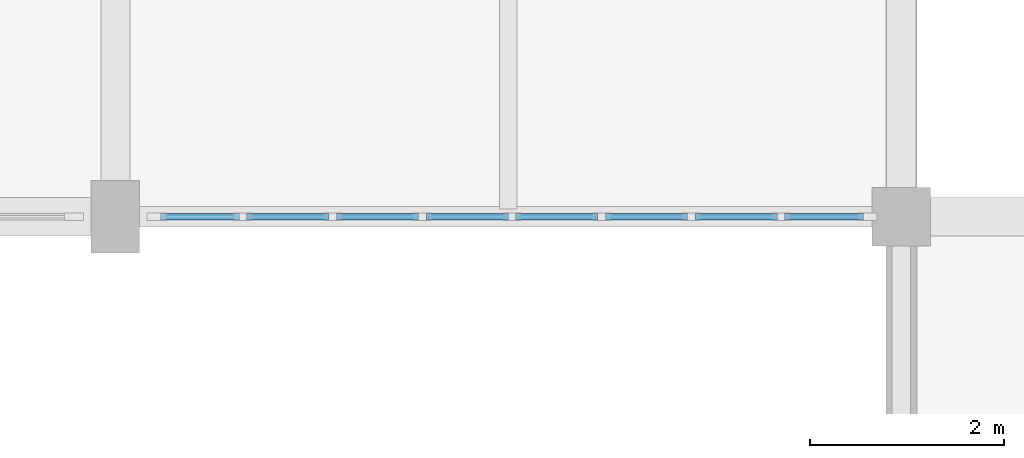
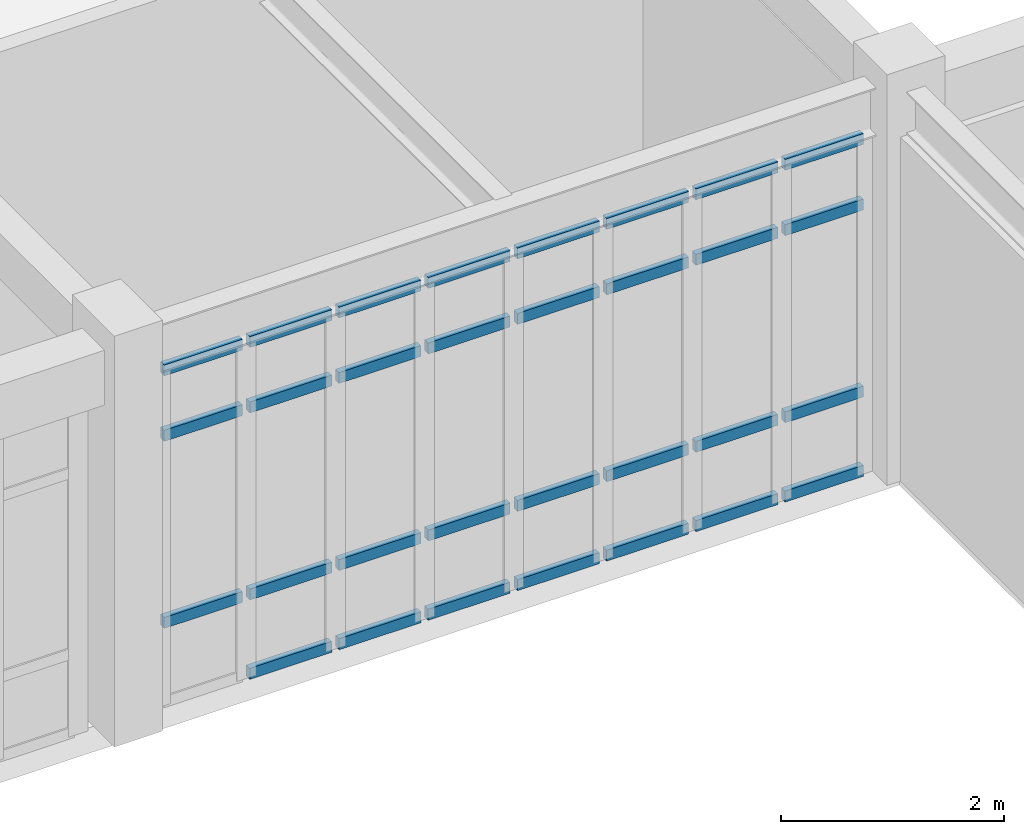
# One storey, part 33 of 67: 31 members, 1 element without a shape of its own.
"""IFC4 building model written with IfcOpenShell, lengths in metres."""

from ifc_helpers import new_model, si_unit, direction, frame, origin, origin_2d, place, context, subcontext, project, spatial, rectangle, extrude, material, material_profile, profile_set, type_object, element, aggregate, save


model = new_model("IFC4")

# Units and contexts
model_context = context("Model", 3, precision=1e-05, world=origin(), true_north=direction((0.0, 1.0)))
body_context = subcontext(model_context, "Body", "Model", "MODEL_VIEW")
ifc_project = project(units=[si_unit("LENGTHUNIT", "METRE"), si_unit("AREAUNIT", "SQUARE_METRE"), si_unit("VOLUMEUNIT", "CUBIC_METRE"), si_unit("PLANEANGLEUNIT", "RADIAN"), si_unit("MASSUNIT", "GRAM", prefix="KILO")], contexts=[model_context])

# Site, building, storey
site_placement = place(None, origin())
site = spatial("IfcSite", under=ifc_project, at=site_placement, CompositionType="ELEMENT")
building_placement = place(site_placement, origin())
building = spatial("IfcBuilding", under=site, at=building_placement, Name="Tarnveldt Square Police Headquarters", CompositionType="ELEMENT")
storey_placement = place(building_placement, frame((0.0, 0.0, 10.199951171875)))
storey = spatial("IfcBuildingStorey", under=building, at=storey_placement, Name="L02", CompositionType="ELEMENT", Elevation=10.199951171875)

# Curtain wall, members
ifc_material_1 = material(Name="Triple-glazed low-e laminated vision glass", Category="glass")
curtain_wall_type = type_object("IfcCurtainWallType", Name="CW-LB-739x370", PredefinedType="USERDEFINED", material=ifc_material_1)
curtain_wall_placement = place(storey_placement, origin())
curtain_wall = element("IfcCurtainWall", 1, at=curtain_wall_placement, inside=storey, type_object=curtain_wall_type, Name="L02 Curtain Wall CW-L02-118", ObjectType="GLAZED CURTAIN WALL", PredefinedType="USERDEFINED")
ifc_material_2 = material(Name="Thermally broken anodised aluminium 6063-T6", Category="aluminium")
ifc_material_profile = material_profile(ifc_material_2, rectangle(XDim=0.06494140625, YDim=0.1201171875, at=origin_2d()), Name="CW-T65x120")
ifc_profile_set = profile_set([ifc_material_profile], Name="Thermally broken anodised aluminium 6063-T6")
member_type = type_object("IfcMemberType", Name="CWT-65x120", PredefinedType="USERDEFINED", material=ifc_profile_set)
member_1_placement = place(storey_placement, frame((97.6650390625, 96.0, 0.900146484375), z_axis=(1.0, 0.0, 0.0), x_axis=(0.0, 1.0, 0.0)))
member_1 = element("IfcMember", 2, at=member_1_placement, type_object=member_type, Name="CW-LB68 transom 1.2", ObjectType="TRANSOM", PredefinedType="USERDEFINED", context=body_context, shape_type="SweptSolid", body=[
    extrude(rectangle(XDim=0.06494140625, YDim=0.1201171875, at=origin_2d()), origin(), (0.0, 0.0, 1.0), 0.811767578125),
])
member_2_placement = place(storey_placement, frame((97.6650390625, 96.0, 2.948974609375), z_axis=(1.0, 0.0, 0.0), x_axis=(0.0, 1.0, 0.0)))
member_2 = element("IfcMember", 3, at=member_2_placement, type_object=member_type, Name="CW-LB68 transom 1.3", ObjectType="TRANSOM", PredefinedType="USERDEFINED", context=body_context, shape_type="SweptSolid", body=[
    extrude(rectangle(XDim=0.06494140625, YDim=0.1201171875, at=origin_2d()), origin(), (0.0, 0.0, 1.0), 0.811767578125),
])
member_3_placement = place(storey_placement, frame((97.6650390625, 96.0, 3.66650390625), z_axis=(1.0, 0.0, 0.0), x_axis=(0.0, 1.0, 0.0)))
member_3 = element("IfcMember", 4, at=member_3_placement, type_object=member_type, Name="CW-LB68 transom 1.4", ObjectType="TRANSOM", PredefinedType="USERDEFINED", context=body_context, shape_type="SweptSolid", body=[
    extrude(rectangle(XDim=0.06494140625, YDim=0.1201171875, at=origin_2d()), origin(), (0.0, 0.0, 1.0), 0.811767578125),
])
member_4_placement = place(storey_placement, frame((98.5517578125, 96.0, 0.032470703125), z_axis=(1.0, 0.0, 0.0), x_axis=(0.0, 1.0, 0.0)))
member_4 = element("IfcMember", 5, at=member_4_placement, type_object=member_type, Name="CW-LB68 transom 2.1", ObjectType="TRANSOM", PredefinedType="USERDEFINED", context=body_context, shape_type="SweptSolid", body=[
    extrude(rectangle(XDim=0.06494140625, YDim=0.1201171875, at=origin_2d()), origin(), (0.0, 0.0, 1.0), 0.849609375),
])
member_5_placement = place(storey_placement, frame((98.5517578125, 96.0, 0.900146484375), z_axis=(1.0, 0.0, 0.0), x_axis=(0.0, 1.0, 0.0)))
member_5 = element("IfcMember", 6, at=member_5_placement, type_object=member_type, Name="CW-LB68 transom 2.2", ObjectType="TRANSOM", PredefinedType="USERDEFINED", context=body_context, shape_type="SweptSolid", body=[
    extrude(rectangle(XDim=0.06494140625, YDim=0.1201171875, at=origin_2d()), origin(), (0.0, 0.0, 1.0), 0.849609375),
])
member_6_placement = place(storey_placement, frame((98.5517578125, 96.0, 2.948974609375), z_axis=(1.0, 0.0, 0.0), x_axis=(0.0, 1.0, 0.0)))
member_6 = element("IfcMember", 7, at=member_6_placement, type_object=member_type, Name="CW-LB68 transom 2.3", ObjectType="TRANSOM", PredefinedType="USERDEFINED", context=body_context, shape_type="SweptSolid", body=[
    extrude(rectangle(XDim=0.06494140625, YDim=0.1201171875, at=origin_2d()), origin(), (0.0, 0.0, 1.0), 0.849609375),
])
member_7_placement = place(storey_placement, frame((98.5517578125, 96.0, 3.66650390625), z_axis=(1.0, 0.0, 0.0), x_axis=(0.0, 1.0, 0.0)))
member_7 = element("IfcMember", 8, at=member_7_placement, type_object=member_type, Name="CW-LB68 transom 2.4", ObjectType="TRANSOM", PredefinedType="USERDEFINED", context=body_context, shape_type="SweptSolid", body=[
    extrude(rectangle(XDim=0.06494140625, YDim=0.1201171875, at=origin_2d()), origin(), (0.0, 0.0, 1.0), 0.849609375),
])
member_8_placement = place(storey_placement, frame((99.476318359375, 96.0, 0.032470703125), z_axis=(1.0, 0.0, 0.0), x_axis=(0.0, 1.0, 0.0)))
member_8 = element("IfcMember", 9, at=member_8_placement, type_object=member_type, Name="CW-LB68 transom 3.1", ObjectType="TRANSOM", PredefinedType="USERDEFINED", context=body_context, shape_type="SweptSolid", body=[
    extrude(rectangle(XDim=0.06494140625, YDim=0.1201171875, at=origin_2d()), origin(), (0.0, 0.0, 1.0), 0.849365234375),
])
member_9_placement = place(storey_placement, frame((99.476318359375, 96.0, 0.900146484375), z_axis=(1.0, 0.0, 0.0), x_axis=(0.0, 1.0, 0.0)))
member_9 = element("IfcMember", 10, at=member_9_placement, type_object=member_type, Name="CW-LB68 transom 3.2", ObjectType="TRANSOM", PredefinedType="USERDEFINED", context=body_context, shape_type="SweptSolid", body=[
    extrude(rectangle(XDim=0.06494140625, YDim=0.1201171875, at=origin_2d()), origin(), (0.0, 0.0, 1.0), 0.849365234375),
])
member_10_placement = place(storey_placement, frame((99.476318359375, 96.0, 2.948974609375), z_axis=(1.0, 0.0, 0.0), x_axis=(0.0, 1.0, 0.0)))
member_10 = element("IfcMember", 11, at=member_10_placement, type_object=member_type, Name="CW-LB68 transom 3.3", ObjectType="TRANSOM", PredefinedType="USERDEFINED", context=body_context, shape_type="SweptSolid", body=[
    extrude(rectangle(XDim=0.06494140625, YDim=0.1201171875, at=origin_2d()), origin(), (0.0, 0.0, 1.0), 0.849365234375),
])
member_11_placement = place(storey_placement, frame((99.476318359375, 96.0, 3.66650390625), z_axis=(1.0, 0.0, 0.0), x_axis=(0.0, 1.0, 0.0)))
member_11 = element("IfcMember", 12, at=member_11_placement, type_object=member_type, Name="CW-LB68 transom 3.4", ObjectType="TRANSOM", PredefinedType="USERDEFINED", context=body_context, shape_type="SweptSolid", body=[
    extrude(rectangle(XDim=0.06494140625, YDim=0.1201171875, at=origin_2d()), origin(), (0.0, 0.0, 1.0), 0.849365234375),
])
member_12_placement = place(storey_placement, frame((100.400634765625, 96.0, 0.032470703125), z_axis=(1.0, 0.0, 0.0), x_axis=(0.0, 1.0, 0.0)))
member_12 = element("IfcMember", 13, at=member_12_placement, type_object=member_type, Name="CW-LB68 transom 4.1", ObjectType="TRANSOM", PredefinedType="USERDEFINED", context=body_context, shape_type="SweptSolid", body=[
    extrude(rectangle(XDim=0.06494140625, YDim=0.1201171875, at=origin_2d()), origin(), (0.0, 0.0, 1.0), 0.849365234375),
])
member_13_placement = place(storey_placement, frame((100.400634765625, 96.0, 0.900146484375), z_axis=(1.0, 0.0, 0.0), x_axis=(0.0, 1.0, 0.0)))
member_13 = element("IfcMember", 14, at=member_13_placement, type_object=member_type, Name="CW-LB68 transom 4.2", ObjectType="TRANSOM", PredefinedType="USERDEFINED", context=body_context, shape_type="SweptSolid", body=[
    extrude(rectangle(XDim=0.06494140625, YDim=0.1201171875, at=origin_2d()), origin(), (0.0, 0.0, 1.0), 0.849365234375),
])
member_14_placement = place(storey_placement, frame((100.400634765625, 96.0, 2.948974609375), z_axis=(1.0, 0.0, 0.0), x_axis=(0.0, 1.0, 0.0)))
member_14 = element("IfcMember", 15, at=member_14_placement, type_object=member_type, Name="CW-LB68 transom 4.3", ObjectType="TRANSOM", PredefinedType="USERDEFINED", context=body_context, shape_type="SweptSolid", body=[
    extrude(rectangle(XDim=0.06494140625, YDim=0.1201171875, at=origin_2d()), origin(), (0.0, 0.0, 1.0), 0.849365234375),
])
member_15_placement = place(storey_placement, frame((100.400634765625, 96.0, 3.66650390625), z_axis=(1.0, 0.0, 0.0), x_axis=(0.0, 1.0, 0.0)))
member_15 = element("IfcMember", 16, at=member_15_placement, type_object=member_type, Name="CW-LB68 transom 4.4", ObjectType="TRANSOM", PredefinedType="USERDEFINED", context=body_context, shape_type="SweptSolid", body=[
    extrude(rectangle(XDim=0.06494140625, YDim=0.1201171875, at=origin_2d()), origin(), (0.0, 0.0, 1.0), 0.849365234375),
])
member_16_placement = place(storey_placement, frame((101.324951171875, 96.0, 0.032470703125), z_axis=(1.0, 0.0, 0.0), x_axis=(0.0, 1.0, 0.0)))
member_16 = element("IfcMember", 17, at=member_16_placement, type_object=member_type, Name="CW-LB68 transom 5.1", ObjectType="TRANSOM", PredefinedType="USERDEFINED", context=body_context, shape_type="SweptSolid", body=[
    extrude(rectangle(XDim=0.06494140625, YDim=0.1201171875, at=origin_2d()), origin(), (0.0, 0.0, 1.0), 0.849365234375),
])
member_17_placement = place(storey_placement, frame((101.324951171875, 96.0, 0.900146484375), z_axis=(1.0, 0.0, 0.0), x_axis=(0.0, 1.0, 0.0)))
member_17 = element("IfcMember", 18, at=member_17_placement, type_object=member_type, Name="CW-LB68 transom 5.2", ObjectType="TRANSOM", PredefinedType="USERDEFINED", context=body_context, shape_type="SweptSolid", body=[
    extrude(rectangle(XDim=0.06494140625, YDim=0.1201171875, at=origin_2d()), origin(), (0.0, 0.0, 1.0), 0.849365234375),
])
member_18_placement = place(storey_placement, frame((101.324951171875, 96.0, 2.948974609375), z_axis=(1.0, 0.0, 0.0), x_axis=(0.0, 1.0, 0.0)))
member_18 = element("IfcMember", 19, at=member_18_placement, type_object=member_type, Name="CW-LB68 transom 5.3", ObjectType="TRANSOM", PredefinedType="USERDEFINED", context=body_context, shape_type="SweptSolid", body=[
    extrude(rectangle(XDim=0.06494140625, YDim=0.1201171875, at=origin_2d()), origin(), (0.0, 0.0, 1.0), 0.849365234375),
])
member_19_placement = place(storey_placement, frame((101.324951171875, 96.0, 3.66650390625), z_axis=(1.0, 0.0, 0.0), x_axis=(0.0, 1.0, 0.0)))
member_19 = element("IfcMember", 20, at=member_19_placement, type_object=member_type, Name="CW-LB68 transom 5.4", ObjectType="TRANSOM", PredefinedType="USERDEFINED", context=body_context, shape_type="SweptSolid", body=[
    extrude(rectangle(XDim=0.06494140625, YDim=0.1201171875, at=origin_2d()), origin(), (0.0, 0.0, 1.0), 0.849365234375),
])
member_20_placement = place(storey_placement, frame((102.249267578125, 96.0, 0.032470703125), z_axis=(1.0, 0.0, 0.0), x_axis=(0.0, 1.0, 0.0)))
member_20 = element("IfcMember", 21, at=member_20_placement, type_object=member_type, Name="CW-LB68 transom 6.1", ObjectType="TRANSOM", PredefinedType="USERDEFINED", context=body_context, shape_type="SweptSolid", body=[
    extrude(rectangle(XDim=0.06494140625, YDim=0.1201171875, at=origin_2d()), origin(), (0.0, 0.0, 1.0), 0.849365234375),
])
member_21_placement = place(storey_placement, frame((102.249267578125, 96.0, 0.900146484375), z_axis=(1.0, 0.0, 0.0), x_axis=(0.0, 1.0, 0.0)))
member_21 = element("IfcMember", 22, at=member_21_placement, type_object=member_type, Name="CW-LB68 transom 6.2", ObjectType="TRANSOM", PredefinedType="USERDEFINED", context=body_context, shape_type="SweptSolid", body=[
    extrude(rectangle(XDim=0.06494140625, YDim=0.1201171875, at=origin_2d()), origin(), (0.0, 0.0, 1.0), 0.849365234375),
])
member_22_placement = place(storey_placement, frame((102.249267578125, 96.0, 2.948974609375), z_axis=(1.0, 0.0, 0.0), x_axis=(0.0, 1.0, 0.0)))
member_22 = element("IfcMember", 23, at=member_22_placement, type_object=member_type, Name="CW-LB68 transom 6.3", ObjectType="TRANSOM", PredefinedType="USERDEFINED", context=body_context, shape_type="SweptSolid", body=[
    extrude(rectangle(XDim=0.06494140625, YDim=0.1201171875, at=origin_2d()), origin(), (0.0, 0.0, 1.0), 0.849365234375),
])
member_23_placement = place(storey_placement, frame((102.249267578125, 96.0, 3.66650390625), z_axis=(1.0, 0.0, 0.0), x_axis=(0.0, 1.0, 0.0)))
member_23 = element("IfcMember", 24, at=member_23_placement, type_object=member_type, Name="CW-LB68 transom 6.4", ObjectType="TRANSOM", PredefinedType="USERDEFINED", context=body_context, shape_type="SweptSolid", body=[
    extrude(rectangle(XDim=0.06494140625, YDim=0.1201171875, at=origin_2d()), origin(), (0.0, 0.0, 1.0), 0.849365234375),
])
member_24_placement = place(storey_placement, frame((103.173828125, 96.0, 0.032470703125), z_axis=(1.0, 0.0, 0.0), x_axis=(0.0, 1.0, 0.0)))
member_24 = element("IfcMember", 25, at=member_24_placement, type_object=member_type, Name="CW-LB68 transom 7.1", ObjectType="TRANSOM", PredefinedType="USERDEFINED", context=body_context, shape_type="SweptSolid", body=[
    extrude(rectangle(XDim=0.06494140625, YDim=0.1201171875, at=origin_2d()), origin(), (0.0, 0.0, 1.0), 0.849365234375),
])
member_25_placement = place(storey_placement, frame((103.173828125, 96.0, 0.900146484375), z_axis=(1.0, 0.0, 0.0), x_axis=(0.0, 1.0, 0.0)))
member_25 = element("IfcMember", 26, at=member_25_placement, type_object=member_type, Name="CW-LB68 transom 7.2", ObjectType="TRANSOM", PredefinedType="USERDEFINED", context=body_context, shape_type="SweptSolid", body=[
    extrude(rectangle(XDim=0.06494140625, YDim=0.1201171875, at=origin_2d()), origin(), (0.0, 0.0, 1.0), 0.849365234375),
])
member_26_placement = place(storey_placement, frame((103.173828125, 96.0, 2.948974609375), z_axis=(1.0, 0.0, 0.0), x_axis=(0.0, 1.0, 0.0)))
member_26 = element("IfcMember", 27, at=member_26_placement, type_object=member_type, Name="CW-LB68 transom 7.3", ObjectType="TRANSOM", PredefinedType="USERDEFINED", context=body_context, shape_type="SweptSolid", body=[
    extrude(rectangle(XDim=0.06494140625, YDim=0.1201171875, at=origin_2d()), origin(), (0.0, 0.0, 1.0), 0.849365234375),
])
member_27_placement = place(storey_placement, frame((103.173828125, 96.0, 3.66650390625), z_axis=(1.0, 0.0, 0.0), x_axis=(0.0, 1.0, 0.0)))
member_27 = element("IfcMember", 28, at=member_27_placement, type_object=member_type, Name="CW-LB68 transom 7.4", ObjectType="TRANSOM", PredefinedType="USERDEFINED", context=body_context, shape_type="SweptSolid", body=[
    extrude(rectangle(XDim=0.06494140625, YDim=0.1201171875, at=origin_2d()), origin(), (0.0, 0.0, 1.0), 0.849365234375),
])
member_28_placement = place(storey_placement, frame((104.09814453125, 96.0, 0.032470703125), z_axis=(1.0, 0.0, 0.0), x_axis=(0.0, 1.0, 0.0)))
member_28 = element("IfcMember", 29, at=member_28_placement, type_object=member_type, Name="CW-LB68 transom 8.1", ObjectType="TRANSOM", PredefinedType="USERDEFINED", context=body_context, shape_type="SweptSolid", body=[
    extrude(rectangle(XDim=0.06494140625, YDim=0.1201171875, at=origin_2d()), origin(), (0.0, 0.0, 1.0), 0.811767578125),
])
member_29_placement = place(storey_placement, frame((104.09814453125, 96.0, 0.900146484375), z_axis=(1.0, 0.0, 0.0), x_axis=(0.0, 1.0, 0.0)))
member_29 = element("IfcMember", 30, at=member_29_placement, type_object=member_type, Name="CW-LB68 transom 8.2", ObjectType="TRANSOM", PredefinedType="USERDEFINED", context=body_context, shape_type="SweptSolid", body=[
    extrude(rectangle(XDim=0.06494140625, YDim=0.1201171875, at=origin_2d()), origin(), (0.0, 0.0, 1.0), 0.811767578125),
])
member_30_placement = place(storey_placement, frame((104.09814453125, 96.0, 2.948974609375), z_axis=(1.0, 0.0, 0.0), x_axis=(0.0, 1.0, 0.0)))
member_30 = element("IfcMember", 31, at=member_30_placement, type_object=member_type, Name="CW-LB68 transom 8.3", ObjectType="TRANSOM", PredefinedType="USERDEFINED", context=body_context, shape_type="SweptSolid", body=[
    extrude(rectangle(XDim=0.06494140625, YDim=0.1201171875, at=origin_2d()), origin(), (0.0, 0.0, 1.0), 0.811767578125),
])
member_31_placement = place(storey_placement, frame((104.09814453125, 96.0, 3.66650390625), z_axis=(1.0, 0.0, 0.0), x_axis=(0.0, 1.0, 0.0)))
member_31 = element("IfcMember", 32, at=member_31_placement, type_object=member_type, Name="CW-LB68 transom 8.4", ObjectType="TRANSOM", PredefinedType="USERDEFINED", context=body_context, shape_type="SweptSolid", body=[
    extrude(rectangle(XDim=0.06494140625, YDim=0.1201171875, at=origin_2d()), origin(), (0.0, 0.0, 1.0), 0.811767578125),
])
aggregate(curtain_wall, [member_1, member_2, member_3, member_4, member_5, member_6, member_7, member_8, member_9, member_10, member_11, member_12, member_13, member_14, member_15, member_16, member_17, member_18, member_19, member_20, member_21, member_22, member_23, member_24, member_25, member_26, member_27, member_28, member_29, member_30, member_31])

save(model, "model.ifc")
